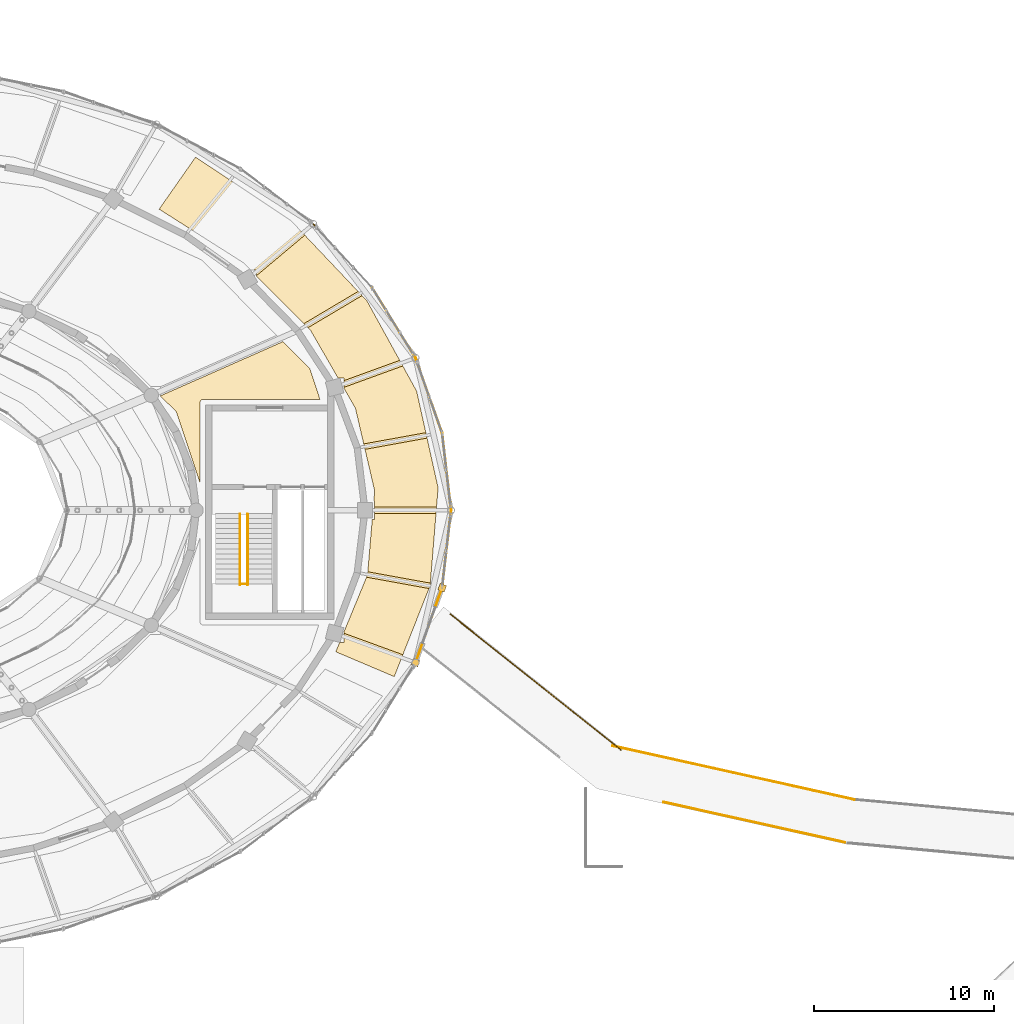
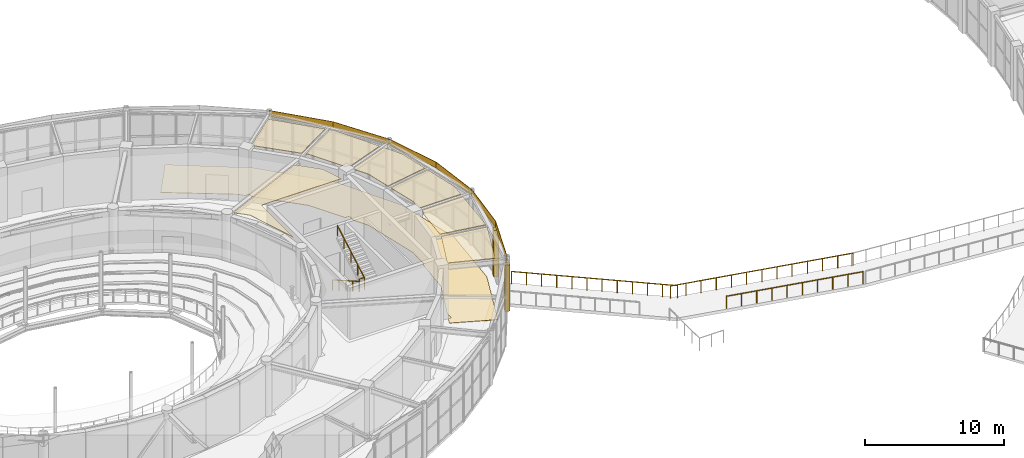
# One storey, part 94 of 100: 16 coverings, 6 railings.
"""IFC4 building model written with IfcOpenShell, lengths in metres."""

from ifc_helpers import new_model, si_unit, direction, frame, frame_2d, origin, origin_2d, place, context, subcontext, project, spatial, polyline, rectangle, circle, outline, extrude, material, layer, layer_set, type_object, element, save


model = new_model("IFC4")

# Units and contexts
model_context = context("Model", 3, precision=1e-05, world=origin(), true_north=direction((0.0, 1.0)))
body_context = subcontext(model_context, "Body", "Model", "MODEL_VIEW")
ifc_project = project(units=[si_unit("LENGTHUNIT", "METRE"), si_unit("AREAUNIT", "SQUARE_METRE"), si_unit("VOLUMEUNIT", "CUBIC_METRE"), si_unit("PLANEANGLEUNIT", "RADIAN"), si_unit("MASSUNIT", "GRAM", prefix="KILO")], contexts=[model_context])

# Site, building, storey
site_placement = place(None, origin())
site = spatial("IfcSite", under=ifc_project, at=site_placement, CompositionType="ELEMENT")
building_placement = place(site_placement, origin())
building = spatial("IfcBuilding", under=site, at=building_placement, Name="Tarnveldt Headland Concert Hall", CompositionType="ELEMENT")
storey_placement = place(building_placement, frame((0.0, 0.0, 4.800048828125)))
storey = spatial("IfcBuildingStorey", under=building, at=storey_placement, Name="L01", CompositionType="ELEMENT", Elevation=4.800048828125)

# Coverings
ifc_material_1 = material(Name="Micro-perforated mvule acoustic ceiling panel", Category="timber")
ifc_layer_1 = layer(ifc_material_1, 0.050048828125, Name="Micro-perforated mvule acoustic ceiling panel", Category="timber")
ifc_layer_set_1 = layer_set([ifc_layer_1], Name="Micro-perforated mvule acoustic ceiling panel")
covering_type_1 = type_object("IfcCoveringType", Name="CV-CEIL50", PredefinedType="CEILING", material=ifc_layer_set_1)
covering_1_placement = place(storey_placement, frame((0.0, 0.0, 4.489990234375)))
element("IfcCovering", 1, at=covering_1_placement, inside=storey, type_object=covering_type_1, Name="Acoustic mvule ceiling L01-10-120", PredefinedType="CEILING", context=body_context, shape_type="SweptSolid", body=[
    extrude(outline(polyline([(102.43115234375, 60.666259765625), (102.4150390625, 60.65869140625), (102.39990234375, 60.649658203125), (102.3857421875, 60.63916015625), (102.372802734375, 60.627197265625), (102.36083984375, 60.6142578125), (102.350341796875, 60.60009765625), (102.34130859375, 60.5849609375), (102.333740234375, 60.56884765625), (102.327880859375, 60.55224609375), (102.323486328125, 60.53515625), (102.32080078125, 60.517578125), (102.320068359375, 60.5), (102.320068359375, 56.033203125), (101.01123046875, 59.9521484375), (101.005126953125, 59.968017578125), (100.99755859375, 59.983154296875), (100.988525390625, 59.99755859375), (100.978271484375, 60.010986328125), (100.966796875, 60.0234375), (100.108154296875, 60.869384765625), (100.108154296875, 60.86962890625), (106.93408203125, 63.88818359375), (108.440185546875, 62.37353515625), (108.994384765625, 60.679931640625), (102.5, 60.679931640625), (102.482421875, 60.67919921875), (102.46484375, 60.676513671875), (102.44775390625, 60.672119140625), (102.43115234375, 60.666259765625)])), origin(), (0.0, 0.0, 1.0), 0.050048828125),
])
covering_2_placement = place(storey_placement, frame((0.0, 0.0, 4.489990234375)))
element("IfcCovering", 2, at=covering_2_placement, inside=storey, type_object=covering_type_1, Name="Acoustic mvule ceiling L01-12-139", PredefinedType="CEILING", context=body_context, shape_type="SweptSolid", body=[
    extrude(outline(polyline([(115.049072265625, 50.14892578125), (115.02734375, 50.055419921875), (113.612548828125, 46.46240234375), (110.33642578125, 47.65478515625), (110.33642578125, 47.739990234375), (111.58837890625, 50.7763671875), (115.049072265625, 50.14892578125)])), origin(), (0.0, 0.0, 1.0), 0.050048828125),
])
covering_3_placement = place(storey_placement, frame((0.0, 0.0, 4.489990234375)))
element("IfcCovering", 3, at=covering_3_placement, inside=storey, type_object=covering_type_1, Name="Acoustic mvule ceiling L01-12-140", PredefinedType="CEILING", context=body_context, shape_type="SweptSolid", body=[
    extrude(outline(polyline([(112.02490234375, 53.97509765625), (112.02490234375, 54.324951171875), (115.45751953125, 54.324951171875), (115.15478515625, 50.6025390625), (115.11962890625, 50.451171875), (111.659423828125, 51.07861328125), (111.906005859375, 53.97509765625), (112.02490234375, 53.97509765625)])), origin(), (0.0, 0.0, 1.0), 0.050048828125),
])
covering_4_placement = place(storey_placement, frame((0.0, 0.0, 4.489990234375)))
element("IfcCovering", 4, at=covering_4_placement, inside=storey, type_object=covering_type_1, Name="Acoustic mvule ceiling L01-12-141", PredefinedType="CEILING", context=body_context, shape_type="SweptSolid", body=[
    extrude(outline(polyline([(112.02490234375, 54.675048828125), (112.02490234375, 55.02490234375), (111.99560546875, 55.02490234375), (112.04052734375, 55.552490234375), (112.041015625, 55.5712890625), (112.039794921875, 55.590087890625), (112.036376953125, 55.6083984375), (111.504150390625, 57.893310546875), (114.960205078125, 58.52001953125), (115.57421875, 55.75927734375), (115.48583984375, 54.675048828125), (112.02490234375, 54.675048828125)])), origin(), (0.0, 0.0, 1.0), 0.050048828125),
])
covering_5_placement = place(storey_placement, frame((0.0, 0.0, 4.489990234375)))
element("IfcCovering", 5, at=covering_5_placement, inside=storey, type_object=covering_type_1, Name="Acoustic mvule ceiling L01-12-142", PredefinedType="CEILING", context=body_context, shape_type="SweptSolid", body=[
    extrude(outline(polyline([(111.43359375, 58.195556640625), (110.97509765625, 60.163818359375), (110.97021484375, 60.180908203125), (110.9638671875, 60.197265625), (110.955810546875, 60.212890625), (110.33642578125, 61.286865234375), (110.33642578125, 61.34521484375), (113.606689453125, 62.53564453125), (114.378662109375, 61.1337890625), (114.892578125, 58.82275390625), (111.43359375, 58.195556640625)])), origin(), (0.0, 0.0, 1.0), 0.050048828125),
])
covering_6_placement = place(storey_placement, frame((0.0, 0.0, 4.489990234375)))
element("IfcCovering", 6, at=covering_6_placement, inside=storey, type_object=covering_type_1, Name="Acoustic mvule ceiling L01-12-143", PredefinedType="CEILING", context=body_context, shape_type="SweptSolid", body=[
    extrude(outline(polyline([(111.340087890625, 66.451904296875), (111.560791015625, 66.218994140625), (111.625244140625, 66.134765625), (113.43603515625, 62.845947265625), (110.33642578125, 61.7177734375), (110.33642578125, 61.865478515625), (110.002685546875, 61.865478515625), (108.4951171875, 64.47998046875), (108.48681640625, 64.4931640625), (108.477294921875, 64.505615234375), (108.466796875, 64.516845703125), (108.32373046875, 64.6611328125), (111.340087890625, 66.451904296875)])), origin(), (0.0, 0.0, 1.0), 0.050048828125),
])
covering_7_placement = place(storey_placement, frame((0.0, 0.0, 4.489990234375)))
element("IfcCovering", 7, at=covering_7_placement, inside=storey, type_object=covering_type_1, Name="Acoustic mvule ceiling L01-12-144", PredefinedType="CEILING", context=body_context, shape_type="SweptSolid", body=[
    extrude(outline(polyline([(105.47412109375, 67.56787109375), (108.15185546875, 69.814697265625), (111.121337890625, 66.6826171875), (108.098388671875, 64.887939453125), (105.47412109375, 67.53076171875), (105.47412109375, 67.56787109375)])), origin(), (0.0, 0.0, 1.0), 0.050048828125),
])
ifc_material_2 = material(Name="Treated East African mvule hardwood", Category="wood")
ifc_layer_2 = layer(ifc_material_2, 0.044921875, Name="Treated East African mvule hardwood", Category="wood")
ifc_layer_set_2 = layer_set([ifc_layer_2], Name="Treated East African mvule hardwood")
covering_type_2 = type_object("IfcCoveringType", Name="CV-CLAD45", PredefinedType="CLADDING", material=ifc_layer_set_2)
covering_8_placement = place(storey_placement, frame((116.300048828125, 54.5, 4.239990234375), z_axis=(0.0, 0.0, 1.0), x_axis=(-0.11494260035, 0.993372135015, 0.0)))
element("IfcCovering", 8, at=covering_8_placement, inside=storey, type_object=covering_type_2, Name="Mvule hardwood fascia band L01-1", PredefinedType="CLADDING", context=body_context, shape_type="SweptSolid", body=[
    extrude(rectangle(XDim=4.335205078125, YDim=0.044921875, at=frame_2d((2.16748046875, 0.0))), origin(), (0.0, 0.0, 1.0), 0.52001953125),
])
covering_9_placement = place(storey_placement, frame((115.8017578125, 58.806396484375, 4.239990234375), z_axis=(0.0, 0.0, 1.0), x_axis=(-0.334010357608, 0.942569403816, 0.0)))
element("IfcCovering", 9, at=covering_9_placement, inside=storey, type_object=covering_type_2, Name="Mvule hardwood fascia band L01-2", PredefinedType="CLADDING", context=body_context, shape_type="SweptSolid", body=[
    extrude(rectangle(XDim=4.43017578125, YDim=0.044921875, at=frame_2d((2.215087890625, 0.0))), origin(), (0.0, 0.0, 1.0), 0.52001953125),
])
covering_10_placement = place(storey_placement, frame((114.322021484375, 62.982177734375, 4.239990234375), z_axis=(0.0, 0.0, 1.0), x_axis=(-0.524979001727, 0.851115178895, 0.0)))
element("IfcCovering", 10, at=covering_10_placement, inside=storey, type_object=covering_type_2, Name="Mvule hardwood fascia band L01-3", PredefinedType="CLADDING", context=body_context, shape_type="SweptSolid", body=[
    extrude(rectangle(XDim=4.60302734375, YDim=0.044921875, at=frame_2d((2.301513671875, 0.0))), origin(), (0.0, 0.0, 1.0), 0.52001953125),
])
covering_11_placement = place(storey_placement, frame((111.905517578125, 66.89990234375, 4.239990234375), z_axis=(0.0, 0.0, 1.0), x_axis=(-0.67944736966, 0.733724247835, 0.0)))
element("IfcCovering", 11, at=covering_11_placement, inside=storey, type_object=covering_type_2, Name="Mvule hardwood fascia band L01-4", PredefinedType="CLADDING", context=body_context, shape_type="SweptSolid", body=[
    extrude(rectangle(XDim=4.826416015625, YDim=0.044921875, at=frame_2d((2.4130859375, 0.0))), origin(), (0.0, 0.0, 1.0), 0.52001953125),
])
covering_12_placement = place(storey_placement, frame((114.322021484375, 46.017822265625, 4.239990234375), z_axis=(0.0, 0.0, 1.0), x_axis=(0.334010357608, 0.942569403816, 0.0)))
element("IfcCovering", 12, at=covering_12_placement, inside=storey, type_object=covering_type_2, Name="Mvule hardwood fascia band L01-35", PredefinedType="CLADDING", context=body_context, shape_type="SweptSolid", body=[
    extrude(rectangle(XDim=4.43017578125, YDim=0.044921875, at=frame_2d((2.215087890625, 0.0))), origin(), (0.0, 0.0, 1.0), 0.52001953125),
])
covering_13_placement = place(storey_placement, frame((115.8017578125, 50.193603515625, 4.239990234375), z_axis=(0.0, 0.0, 1.0), x_axis=(0.11494260035, 0.993372135015, 0.0)))
element("IfcCovering", 13, at=covering_13_placement, inside=storey, type_object=covering_type_2, Name="Mvule hardwood fascia band L01-36", PredefinedType="CLADDING", context=body_context, shape_type="SweptSolid", body=[
    extrude(rectangle(XDim=4.335205078125, YDim=0.044921875, at=frame_2d((2.16748046875, 0.0))), origin(), (0.0, 0.0, 1.0), 0.52001953125),
])
ifc_material_3 = material(Name="Polished coral-aggregate cementitious terrazzo flooring", Category="concrete")
ifc_layer_3 = layer(ifc_material_3, 0.034912109375, Name="Polished coral-aggregate cementitious terrazzo flooring", Category="concrete")
ifc_layer_set_3 = layer_set([ifc_layer_3], Name="Polished coral-aggregate cementitious terrazzo flooring")
covering_type_3 = type_object("IfcCoveringType", Name="CV-FLOR35", PredefinedType="FLOORING", material=ifc_layer_set_3)
covering_14_placement = place(storey_placement, origin())
element("IfcCovering", 14, at=covering_14_placement, inside=storey, type_object=covering_type_3, Name="Architectural flooring L01-12-39", PredefinedType="FLOORING", context=body_context, shape_type="SweptSolid", body=[
    extrude(outline(polyline([(111.64794921875, 50.9423828125), (111.906005859375, 53.97509765625), (112.02490234375, 53.97509765625), (112.02490234375, 55.02490234375), (111.99560546875, 55.02490234375), (112.04052734375, 55.552490234375), (112.041015625, 55.5712890625), (112.039794921875, 55.590087890625), (112.036376953125, 55.6083984375), (110.97509765625, 60.163818359375), (110.97021484375, 60.180908203125), (110.9638671875, 60.197265625), (110.955810546875, 60.212890625), (110.33642578125, 61.286865234375), (110.33642578125, 61.865478515625), (110.002685546875, 61.865478515625), (108.4951171875, 64.47998046875), (108.48681640625, 64.4931640625), (108.477294921875, 64.505615234375), (108.466796875, 64.516845703125), (105.47412109375, 67.53076171875), (105.47412109375, 67.880859375), (105.126708984375, 67.880859375), (104.73291015625, 68.277099609375), (104.718017578125, 68.29052734375), (104.701904296875, 68.30224609375), (100.044921875, 71.26171875), (102.072998046875, 74.158203125), (107.386962890625, 70.621337890625), (111.603759765625, 66.173828125), (114.378662109375, 61.1337890625), (115.57421875, 55.75927734375), (115.132080078125, 50.3212890625), (113.132568359375, 45.2431640625), (109.876708984375, 46.625244140625), (110.086669921875, 47.134521484375), (110.33642578125, 47.134521484375), (110.33642578125, 47.739990234375), (111.635009765625, 50.888916015625), (111.64111328125, 50.90625), (111.6455078125, 50.924072265625), (111.64794921875, 50.9423828125)])), origin(), (0.0, 0.0, 1.0), 0.034912109375),
])
ifc_material_4 = material(Name="Coral-toned precast concrete C40/50", Category="concrete")
ifc_layer_4 = layer(ifc_material_4, 0.360107421875, Name="Coral-toned precast concrete C40/50", Category="concrete")
ifc_layer_set_4 = layer_set([ifc_layer_4], Name="Coral-toned precast concrete C40/50")
covering_type_4 = type_object("IfcCoveringType", Name="CV-JNT360", PredefinedType="CLADDING", material=ifc_layer_set_4)
for number, where, z_axis, x_axis, name in (
    (15, (114.322021484375, 46.017822265625, 0.0), (0.0, 0.0, 1.0), (-0.333971376126, -0.942583216448, 0.0), "Precast facade joint closure pilaster L01-224"),
    (16, (115.8017578125, 50.193603515625, 0.0), (0.0, 0.0, 1.0), (-0.333971376126, -0.942583216448, 0.0), "Precast facade joint closure pilaster L01-225"),
):
    element("IfcCovering", number, at=place(storey_placement, frame(where, z_axis=z_axis, x_axis=x_axis)), inside=storey, type_object=covering_type_4, Name=name, PredefinedType="CLADDING", context=body_context, shape_type="SweptSolid", body=[
        extrude(rectangle(XDim=0.3798828125, YDim=0.3798828125, at=origin_2d()), origin(), (0.0, 0.0, 1.0), 4.077880859375),
    ])

# Railings
ifc_material_5 = material(Name="Marine stainless steel", Category="steel")
ifc_layer_5 = layer(ifc_material_5, 0.074951171875, Name="Marine stainless steel", Category="steel")
ifc_layer_set_5 = layer_set([ifc_layer_5], Name="Marine stainless steel")
railing_type_1 = type_object("IfcRailingType", Name="RL-BAL110", PredefinedType="BALUSTRADE", material=ifc_layer_set_5)
railing_1_placement = place(storey_placement, frame((116.251708984375, 48.718017578125, 0.0)))
element("IfcRailing", 17, at=railing_1_placement, inside=storey, type_object=railing_type_1, Name="GUARD Bridge north balustrade 1", PredefinedType="BALUSTRADE", context=body_context, shape_type="SweptSolid", body=[
    extrude(circle(Radius=0.02392578125, at=origin_2d()), frame((0.0, 0.0, 1.076171875), z_axis=(0.782593922249, -0.622532531567, 0.0), x_axis=(0.622532531567, 0.782593922249, 0.0)), (0.0, 0.0, 1.0), 12.129150390625),
    extrude(circle(Radius=0.02099609375, at=origin_2d()), origin(), (0.0, 0.0, 1.0), 1.052001953125),
    extrude(circle(Radius=0.02099609375, at=origin_2d()), frame((0.863037109375, -0.6865234375, 0.0)), (0.0, 0.0, 1.0), 1.052001953125),
    extrude(circle(Radius=0.02099609375, at=origin_2d()), frame((1.725830078125, -1.372802734375, 0.0)), (0.0, 0.0, 1.0), 1.052001953125),
    extrude(circle(Radius=0.02099609375, at=origin_2d()), frame((2.5888671875, -2.059326171875, 0.0)), (0.0, 0.0, 1.0), 1.052001953125),
    extrude(circle(Radius=0.02099609375, at=origin_2d()), frame((3.45166015625, -2.745849609375, 0.0)), (0.0, 0.0, 1.0), 1.052001953125),
    extrude(circle(Radius=0.02099609375, at=origin_2d()), frame((4.314697265625, -3.43212890625, 0.0)), (0.0, 0.0, 1.0), 1.052001953125),
    extrude(circle(Radius=0.02099609375, at=origin_2d()), frame((5.177490234375, -4.11865234375, 0.0)), (0.0, 0.0, 1.0), 1.052001953125),
    extrude(circle(Radius=0.02099609375, at=origin_2d()), frame((6.04052734375, -4.804931640625, 0.0)), (0.0, 0.0, 1.0), 1.052001953125),
    extrude(circle(Radius=0.02099609375, at=origin_2d()), frame((6.9033203125, -5.491455078125, 0.0)), (0.0, 0.0, 1.0), 1.052001953125),
    extrude(circle(Radius=0.02099609375, at=origin_2d()), frame((7.766357421875, -6.177978515625, 0.0)), (0.0, 0.0, 1.0), 1.052001953125),
    extrude(circle(Radius=0.02099609375, at=origin_2d()), frame((8.629150390625, -6.8642578125, 0.0)), (0.0, 0.0, 1.0), 1.052001953125),
    extrude(circle(Radius=0.02099609375, at=origin_2d()), frame((9.4921875, -7.55078125, 0.0)), (0.0, 0.0, 1.0), 1.052001953125),
])
railing_2_placement = place(storey_placement, frame((125.2841796875, 41.38671875, 0.0)))
element("IfcRailing", 18, at=railing_2_placement, inside=storey, type_object=railing_type_1, Name="GUARD Bridge north balustrade 2", PredefinedType="BALUSTRADE", context=body_context, shape_type="SweptSolid", body=[
    extrude(circle(Radius=0.02392578125, at=origin_2d()), frame((0.0, 0.0, 1.076171875), z_axis=(0.976184977193, -0.216939831064, 0.0), x_axis=(0.216939831064, 0.976184977193, 0.0)), (0.0, 0.0, 1.0), 13.789306640625),
    extrude(circle(Radius=0.02099609375, at=origin_2d()), origin(), (0.0, 0.0, 1.0), 1.052001953125),
    extrude(circle(Radius=0.02099609375, at=origin_2d()), frame((1.121826171875, -0.249267578125, 0.0)), (0.0, 0.0, 1.0), 1.052001953125),
    extrude(circle(Radius=0.02099609375, at=origin_2d()), frame((2.243408203125, -0.49853515625, 0.0)), (0.0, 0.0, 1.0), 1.052001953125),
    extrude(circle(Radius=0.02099609375, at=origin_2d()), frame((3.365234375, -0.747802734375, 0.0)), (0.0, 0.0, 1.0), 1.052001953125),
    extrude(circle(Radius=0.02099609375, at=origin_2d()), frame((4.487060546875, -0.9970703125, 0.0)), (0.0, 0.0, 1.0), 1.052001953125),
    extrude(circle(Radius=0.02099609375, at=origin_2d()), frame((5.608642578125, -1.246337890625, 0.0)), (0.0, 0.0, 1.0), 1.052001953125),
    extrude(circle(Radius=0.02099609375, at=origin_2d()), frame((6.73046875, -1.49560546875, 0.0)), (0.0, 0.0, 1.0), 1.052001953125),
    extrude(circle(Radius=0.02099609375, at=origin_2d()), frame((7.852294921875, -1.7451171875, 0.0)), (0.0, 0.0, 1.0), 1.052001953125),
    extrude(circle(Radius=0.02099609375, at=origin_2d()), frame((8.973876953125, -1.994384765625, 0.0)), (0.0, 0.0, 1.0), 1.052001953125),
    extrude(circle(Radius=0.02099609375, at=origin_2d()), frame((10.095703125, -2.24365234375, 0.0)), (0.0, 0.0, 1.0), 1.052001953125),
    extrude(circle(Radius=0.02099609375, at=origin_2d()), frame((11.217529296875, -2.492919921875, 0.0)), (0.0, 0.0, 1.0), 1.052001953125),
    extrude(circle(Radius=0.02099609375, at=origin_2d()), frame((12.339111328125, -2.7421875, 0.0)), (0.0, 0.0, 1.0), 1.052001953125),
    extrude(circle(Radius=0.02099609375, at=origin_2d()), frame((13.4609375, -2.991455078125, 0.0)), (0.0, 0.0, 1.0), 1.052001953125),
])
railing_3_placement = place(storey_placement, frame((128.1201171875, 38.2568359375, 0.0)))
element("IfcRailing", 19, at=railing_3_placement, inside=storey, type_object=railing_type_1, Name="GUARD Bridge south balustrade 2", PredefinedType="BALUSTRADE", context=body_context, shape_type="SweptSolid", body=[
    extrude(circle(Radius=0.02392578125, at=origin_2d()), frame((0.0, 0.0, 1.076171875), z_axis=(0.976188726518, -0.216922959179, 0.0), x_axis=(0.216922959179, 0.976188726518, 0.0)), (0.0, 0.0, 1.0), 10.342041015625),
    extrude(circle(Radius=0.02099609375, at=origin_2d()), origin(), (0.0, 0.0, 1.0), 1.052001953125),
    extrude(circle(Radius=0.02099609375, at=origin_2d()), frame((1.121826171875, -0.249267578125, 0.0)), (0.0, 0.0, 1.0), 1.052001953125),
    extrude(circle(Radius=0.02099609375, at=origin_2d()), frame((2.243408203125, -0.49853515625, 0.0)), (0.0, 0.0, 1.0), 1.052001953125),
    extrude(circle(Radius=0.02099609375, at=origin_2d()), frame((3.365234375, -0.747802734375, 0.0)), (0.0, 0.0, 1.0), 1.052001953125),
    extrude(circle(Radius=0.02099609375, at=origin_2d()), frame((4.487060546875, -0.9970703125, 0.0)), (0.0, 0.0, 1.0), 1.052001953125),
    extrude(circle(Radius=0.02099609375, at=origin_2d()), frame((5.608642578125, -1.246337890625, 0.0)), (0.0, 0.0, 1.0), 1.052001953125),
    extrude(circle(Radius=0.02099609375, at=origin_2d()), frame((6.73046875, -1.49560546875, 0.0)), (0.0, 0.0, 1.0), 1.052001953125),
    extrude(circle(Radius=0.02099609375, at=origin_2d()), frame((7.852294921875, -1.744873046875, 0.0)), (0.0, 0.0, 1.0), 1.052001953125),
    extrude(circle(Radius=0.02099609375, at=origin_2d()), frame((8.973876953125, -1.994140625, 0.0)), (0.0, 0.0, 1.0), 1.052001953125),
    extrude(circle(Radius=0.02099609375, at=origin_2d()), frame((10.095703125, -2.243408203125, 0.0)), (0.0, 0.0, 1.0), 1.052001953125),
])
ifc_layer_6 = layer(ifc_material_5, 0.06005859375, Name="Marine stainless steel", Category="steel")
ifc_layer_set_6 = layer_set([ifc_layer_6], Name="Marine stainless steel")
railing_type_2 = type_object("IfcRailingType", Name="RL-GRD110", PredefinedType="GUARDRAIL", material=ifc_layer_set_6)
railing_4_placement = place(storey_placement, frame((104.550048828125, 50.39990234375, 2.39990234375)))
element("IfcRailing", 20, at=railing_4_placement, inside=storey, type_object=railing_type_2, Name="GUARD STR-C2-L01 half-landing well", PredefinedType="GUARDRAIL", context=body_context, shape_type="SweptSolid", body=[
    extrude(circle(Radius=0.02392578125, at=origin_2d()), frame((0.0, 0.0, 1.076171875), z_axis=(1.0, 0.0, 0.0), x_axis=(0.0, 1.0, 0.0)), (0.0, 0.0, 1.0), 0.419921875),
    extrude(circle(Radius=0.02099609375, at=origin_2d()), origin(), (0.0, 0.0, 1.0), 1.052001953125),
    extrude(circle(Radius=0.02099609375, at=origin_2d()), frame((0.419921875, 0.0, 0.0)), (0.0, 0.0, 1.0), 1.052001953125),
])
ifc_layer_7 = layer(ifc_material_5, 0.048095703125, Name="Marine stainless steel", Category="steel")
ifc_layer_set_7 = layer_set([ifc_layer_7], Name="Marine stainless steel")
railing_type_3 = type_object("IfcRailingType", Name="RL-HND092", PredefinedType="HANDRAIL", material=ifc_layer_set_7)
railing_5_placement = place(storey_placement, frame((104.550048828125, 54.280029296875, 0.159912109375)))
element("IfcRailing", 21, at=railing_5_placement, inside=storey, type_object=railing_type_3, Name="HANDRAIL STR-C2-L01 flight 1", PredefinedType="HANDRAIL", context=body_context, shape_type="SweptSolid", body=[
    extrude(circle(Radius=0.02392578125, at=origin_2d()), frame((0.0, 0.0, 0.89599609375), z_axis=(0.0, -0.868239814368, 0.496144761885), x_axis=(1.0, 0.0, 0.0)), (0.0, 0.0, 1.0), 4.514892578125),
    extrude(circle(Radius=0.02099609375, at=origin_2d()), origin(), (0.0, 0.0, 1.0), 0.871826171875),
    extrude(circle(Radius=0.02099609375, at=origin_2d()), frame((0.0, -0.97998046875, 0.56005859375)), (0.0, 0.0, 1.0), 0.871826171875),
    extrude(circle(Radius=0.02099609375, at=origin_2d()), frame((0.0, -1.9599609375, 1.1201171875)), (0.0, 0.0, 1.0), 0.871826171875),
    extrude(circle(Radius=0.02099609375, at=origin_2d()), frame((0.0, -2.93994140625, 1.679931640625)), (0.0, 0.0, 1.0), 0.871826171875),
    extrude(circle(Radius=0.02099609375, at=origin_2d()), frame((0.0, -3.919921875, 2.239990234375)), (0.0, 0.0, 1.0), 0.871826171875),
])
railing_6_placement = place(storey_placement, frame((104.969970703125, 50.360107421875, 2.56005859375)))
element("IfcRailing", 22, at=railing_6_placement, inside=storey, type_object=railing_type_3, Name="HANDRAIL STR-C2-L01 flight 2", PredefinedType="HANDRAIL", context=body_context, shape_type="SweptSolid", body=[
    extrude(circle(Radius=0.02392578125, at=origin_2d()), frame((0.0, 0.0, 0.89599609375), z_axis=(0.0, 0.868239814368, 0.496144761885), x_axis=(-1.0, 0.0, 0.0)), (0.0, 0.0, 1.0), 4.514892578125),
    extrude(circle(Radius=0.02099609375, at=origin_2d()), origin(), (0.0, 0.0, 1.0), 0.871826171875),
    extrude(circle(Radius=0.02099609375, at=origin_2d()), frame((0.0, 0.97998046875, 0.56005859375)), (0.0, 0.0, 1.0), 0.871826171875),
    extrude(circle(Radius=0.02099609375, at=origin_2d()), frame((0.0, 1.9599609375, 1.1201171875)), (0.0, 0.0, 1.0), 0.871826171875),
    extrude(circle(Radius=0.02099609375, at=origin_2d()), frame((0.0, 2.93994140625, 1.679931640625)), (0.0, 0.0, 1.0), 0.871826171875),
    extrude(circle(Radius=0.02099609375, at=origin_2d()), frame((0.0, 3.919921875, 2.239990234375)), (0.0, 0.0, 1.0), 0.871826171875),
])

save(model, "model.ifc")
